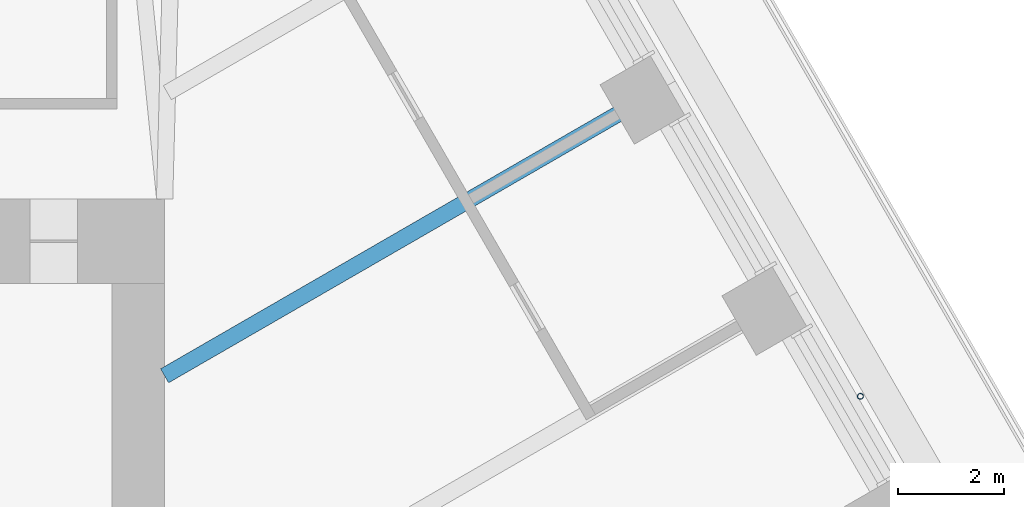
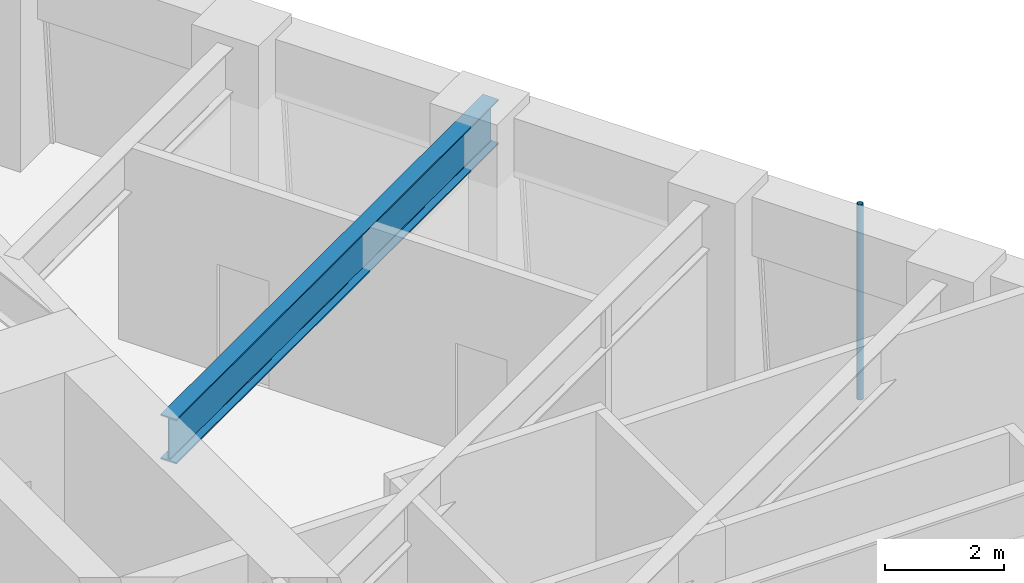
# One storey, part 10 of 20: 1 beam, 1 member.
"""IFC4 building model written with IfcOpenShell, lengths in metres."""

from ifc_helpers import new_model, si_unit, direction, frame, origin, origin_2d, place, context, subcontext, project, spatial, hollow_circle, i_section, extrude, material, material_profile, profile_set, type_object, element, save


model = new_model("IFC4")

# Units and contexts
model_context = context("Model", 3, precision=1e-05, world=origin(), true_north=direction((0.0, 1.0)))
body_context = subcontext(model_context, "Body", "Model", "MODEL_VIEW")
ifc_project = project(units=[si_unit("LENGTHUNIT", "METRE"), si_unit("AREAUNIT", "SQUARE_METRE"), si_unit("VOLUMEUNIT", "CUBIC_METRE"), si_unit("PLANEANGLEUNIT", "RADIAN"), si_unit("MASSUNIT", "GRAM", prefix="KILO")], contexts=[model_context])

# Site, building, storey
site_placement = place(None, origin())
site = spatial("IfcSite", under=ifc_project, at=site_placement, CompositionType="ELEMENT")
building_placement = place(site_placement, origin())
building = spatial("IfcBuilding", under=site, at=building_placement, Name="Tarfa Lantern Tower", CompositionType="ELEMENT")
storey_placement = place(building_placement, frame((0.0, 0.0, 244.89990234375)))
storey = spatial("IfcBuildingStorey", under=building, at=storey_placement, Name="L55", CompositionType="ELEMENT", Elevation=244.89990234375)

# Member
ifc_material_1 = material(Name="Steel S355", Category="steel")
ifc_material_profile_1 = material_profile(ifc_material_1, hollow_circle(Radius=0.05712890625, WallThickness=0.00634765625, at=origin_2d()), Name="CHS114.3x6.3")
ifc_profile_set_1 = profile_set([ifc_material_profile_1], Name="Steel S355")
member_type = type_object("IfcMemberType", Name="TR1 GREEN WALL TRELLIS CHS114.3x6.3", PredefinedType="USERDEFINED", material=ifc_profile_set_1)
member_placement = place(storey_placement, frame((28.682861328125, 8.56005859375, 0.0), z_axis=(0.0, 0.0, 1.0), x_axis=(1.0, 0.0, 0.0)))
element("IfcMember", 1, at=member_placement, inside=storey, type_object=member_type, Name="Trellis post NE 1", ObjectType="TRELLIS", PredefinedType="USERDEFINED", context=body_context, shape_type="SweptSolid", body=[
    extrude(hollow_circle(Radius=0.05712890625, WallThickness=0.00634765625, at=origin_2d()), origin(), (0.0, 0.0, 1.0), 4.0),
])

# Beam
ifc_material_2 = material(Name="Steel S460M", Category="steel")
ifc_material_profile_2 = material_profile(ifc_material_2, i_section(OverallWidth=0.305419921875, OverallDepth=0.91845703125, WebThickness=0.017333984375, FlangeThickness=0.02783203125, FilletRadius=0.01904296875, at=origin_2d()), Name="UB914x305x253")
ifc_profile_set_2 = profile_set([ifc_material_profile_2], Name="Steel S460M")
beam_type = type_object("IfcBeamType", Name="UB914x305x253", PredefinedType="BEAM", material=ifc_profile_set_2)
beam_placement = place(storey_placement, frame((24.872314453125, 14.360107421875, 3.541015625), z_axis=(-0.8660244219, -0.500001700669, 0.0), x_axis=(0.500001700669, -0.8660244219, 0.0)))
element("IfcBeam", 2, at=beam_placement, inside=storey, type_object=beam_type, Name="Floor beam NE3", PredefinedType="BEAM", context=body_context, shape_type="SweptSolid", body=[
    extrude(i_section(OverallWidth=0.305419921875, OverallDepth=0.91845703125, WebThickness=0.017333984375, FlangeThickness=0.02783203125, FilletRadius=0.01904296875, at=origin_2d()), origin(), (0.0, 0.0, 1.0), 10.822265625),
])

save(model, "model.ifc")
